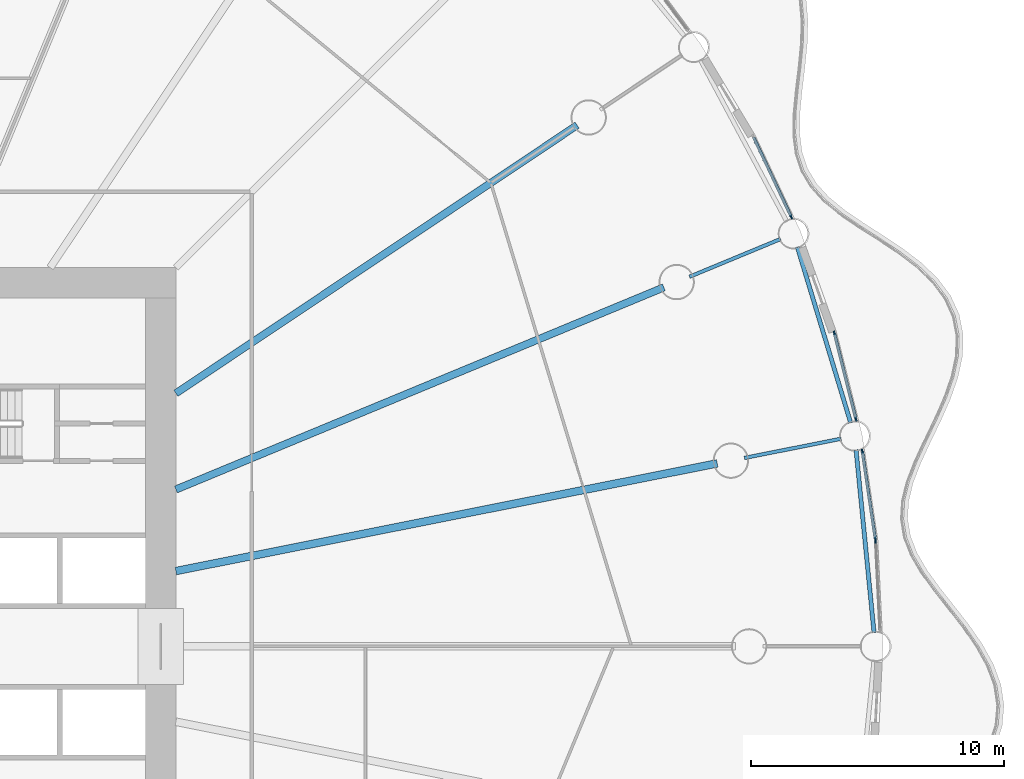
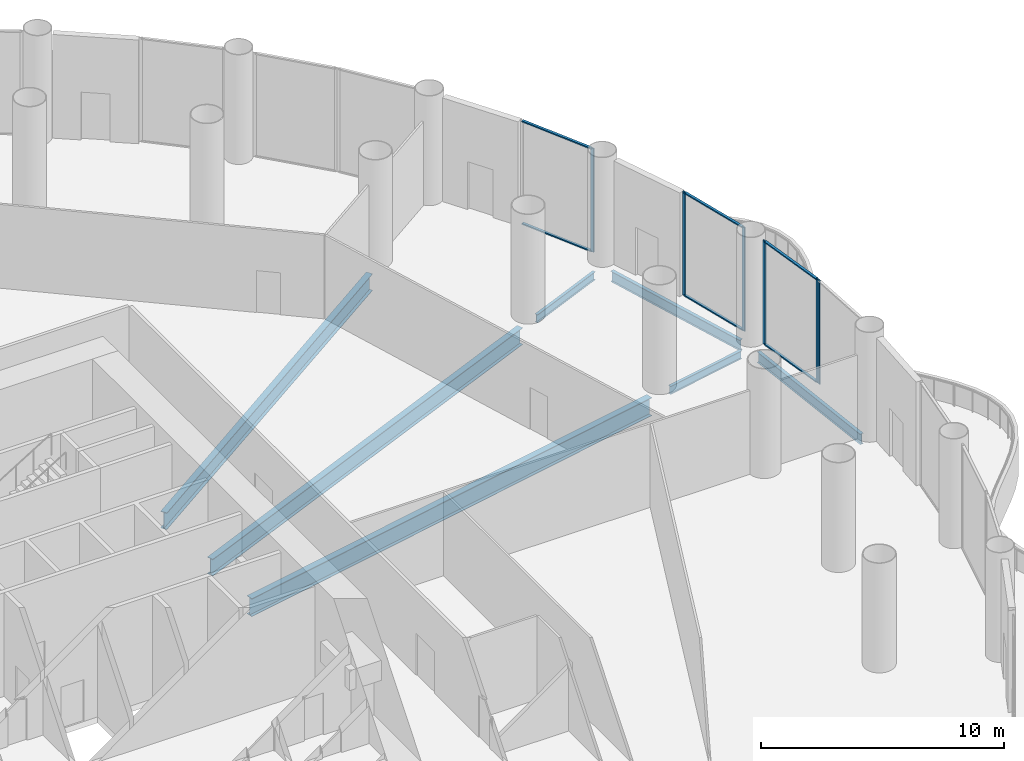
# One storey, part 14 of 37: 12 members, 7 beams, 4 elements without a shape of their own.
"""IFC4 building model written with IfcOpenShell, lengths in metres."""

from ifc_helpers import new_model, si_unit, direction, frame, origin, origin_2d, place, context, subcontext, project, spatial, rectangle, i_section, extrude, material, material_profile, profile_set, type_object, element, aggregate, save


model = new_model("IFC4")

# Units and contexts
model_context = context("Model", 3, precision=1e-05, world=origin(), true_north=direction((0.0, 1.0)))
body_context = subcontext(model_context, "Body", "Model", "MODEL_VIEW")
ifc_project = project(units=[si_unit("LENGTHUNIT", "METRE"), si_unit("AREAUNIT", "SQUARE_METRE"), si_unit("VOLUMEUNIT", "CUBIC_METRE"), si_unit("PLANEANGLEUNIT", "RADIAN"), si_unit("MASSUNIT", "GRAM", prefix="KILO")], contexts=[model_context])

# Site, building, storey
site_placement = place(None, origin())
site = spatial("IfcSite", under=ifc_project, at=site_placement, CompositionType="ELEMENT")
building_placement = place(site_placement, origin())
building = spatial("IfcBuilding", under=site, at=building_placement, Name="Corvane Civic Tower", CompositionType="ELEMENT")
storey_placement = place(building_placement, frame((0.0, 0.0, 11.5)))
storey = spatial("IfcBuildingStorey", under=building, at=storey_placement, Name="L02", CompositionType="ELEMENT", Elevation=11.5)

# Beams
ifc_material_1 = material(Name="Steel ASTM A992 Gr 50", Category="steel")
ifc_material_profile_1 = material_profile(ifc_material_1, i_section(OverallWidth=0.165771484375, OverallDepth=0.5283203125, WebThickness=0.009765625, FlangeThickness=0.013671875, at=origin_2d()), Name="W21X50")
ifc_profile_set_1 = profile_set([ifc_material_profile_1], Name="Steel ASTM A992 Gr 50")
beam_type_1 = type_object("IfcBeamType", Name="EDGE BEAM W21X50", PredefinedType="BEAM", material=ifc_profile_set_1)
for number, where, z_axis, x_axis, name in (
    (1, (39.609375, 15.814208984375, -0.564208984375), (0.290291633127, -0.956938225664, 0.0), (0.956938225664, 0.290291633127, 0.0), "BM-L02-E07"),
    (2, (41.93359375, 7.782958984375, -0.564208984375), (0.097984225478, -0.995187967953, 0.0), (0.995187967953, 0.097984225478, 0.0), "BM-L02-E08"),
):
    element("IfcBeam", number, at=place(storey_placement, frame(where, z_axis=z_axis, x_axis=x_axis)), inside=storey, type_object=beam_type_1, Name=name, PredefinedType="BEAM", context=body_context, shape_type="SweptSolid", body=[
        extrude(i_section(OverallWidth=0.165771484375, OverallDepth=0.5283203125, WebThickness=0.009765625, FlangeThickness=0.013671875, at=origin_2d()), origin(), (0.0, 0.0, 1.0), 7.2705078125),
    ])
ifc_material_2 = material(Name="Steel ASTM A992 Gr 50", Category="steel")
ifc_material_profile_2 = material_profile(ifc_material_2, i_section(OverallWidth=0.140380859375, OverallDepth=0.40380859375, WebThickness=0.007080078125, FlangeThickness=0.01123046875, at=origin_2d()), Name="W16X31")
ifc_profile_set_2 = profile_set([ifc_material_profile_2], Name="Steel ASTM A992 Gr 50")
beam_type_2 = type_object("IfcBeamType", Name="FLOOR GIRDER W16X31", PredefinedType="BEAM", material=ifc_profile_set_2)
for number, where, z_axis, x_axis, name in (
    (3, (35.33837890625, 14.6376953125, -0.501953125), (0.923878730261, 0.382685369162, 0.0), (-0.382685369162, 0.923878730261, 0.0), "BM-L02-G07b"),
    (4, (37.51513671875, 7.462158203125, -0.501953125), (0.980777614264, 0.195128858343, 0.0), (-0.195128858343, 0.980777614264, 0.0), "BM-L02-G08b"),
):
    element("IfcBeam", number, at=place(storey_placement, frame(where, z_axis=z_axis, x_axis=x_axis)), inside=storey, type_object=beam_type_2, Name=name, PredefinedType="BEAM", context=body_context, shape_type="SweptSolid", body=[
        extrude(i_section(OverallWidth=0.140380859375, OverallDepth=0.40380859375, WebThickness=0.007080078125, FlangeThickness=0.01123046875, at=origin_2d()), origin(), (0.0, 0.0, 1.0), 3.89990234375),
    ])
ifc_material_3 = material(Name="Steel ASTM A992 Gr 50", Category="steel")
ifc_material_profile_3 = material_profile(ifc_material_3, i_section(OverallWidth=0.2919921875, OverallDepth=0.845703125, WebThickness=0.015380859375, FlangeThickness=0.0244140625, at=origin_2d()), Name="W33X141")
ifc_profile_set_3 = profile_set([ifc_material_profile_3], Name="Steel ASTM A992 Gr 50")
beam_type_3 = type_object("IfcBeamType", Name="FLOOR GIRDER W33X141", PredefinedType="BEAM", material=ifc_profile_set_3)
beam_1_placement = place(storey_placement, frame((15.0, 10.022705078125, -0.722900390625), z_axis=(0.831471985418, 0.555566681385, 0.0), x_axis=(-0.555566681385, 0.831471985418, 0.0)))
element("IfcBeam", 5, at=beam_1_placement, inside=storey, type_object=beam_type_3, Name="BM-L02-G06", PredefinedType="BEAM", context=body_context, shape_type="SweptSolid", body=[
    extrude(i_section(OverallWidth=0.2919921875, OverallDepth=0.845703125, WebThickness=0.015380859375, FlangeThickness=0.0244140625, at=origin_2d()), origin(), (0.0, 0.0, 1.0), 19.109619140625),
])
beam_2_placement = place(storey_placement, frame((15.0, 6.213134765625, -0.722900390625), z_axis=(0.923875834355, 0.382692360381, 0.0), x_axis=(-0.382692360381, 0.923875834355, 0.0)))
element("IfcBeam", 6, at=beam_2_placement, inside=storey, type_object=beam_type_3, Name="BM-L02-G07", PredefinedType="BEAM", context=body_context, shape_type="SweptSolid", body=[
    extrude(i_section(OverallWidth=0.2919921875, OverallDepth=0.845703125, WebThickness=0.015380859375, FlangeThickness=0.0244140625, at=origin_2d()), origin(), (0.0, 0.0, 1.0), 20.9140625),
])
ifc_material_4 = material(Name="Steel ASTM A992 Gr 50", Category="steel")
ifc_material_profile_4 = material_profile(ifc_material_4, i_section(OverallWidth=0.3046875, OverallDepth=0.911865234375, WebThickness=0.015869140625, FlangeThickness=0.02392578125, at=origin_2d()), Name="W36X150")
ifc_profile_set_4 = profile_set([ifc_material_profile_4], Name="Steel ASTM A992 Gr 50")
beam_type_4 = type_object("IfcBeamType", Name="FLOOR GIRDER W36X150", PredefinedType="BEAM", material=ifc_profile_set_4)
beam_3_placement = place(storey_placement, frame((15.0, 2.983642578125, -0.755859375), z_axis=(0.980785499679, 0.195089219638, 0.0), x_axis=(-0.195089219638, 0.980785499679, 0.0)))
element("IfcBeam", 7, at=beam_3_placement, inside=storey, type_object=beam_type_4, Name="BM-L02-G08", PredefinedType="BEAM", context=body_context, shape_type="SweptSolid", body=[
    extrude(i_section(OverallWidth=0.3046875, OverallDepth=0.911865234375, WebThickness=0.015869140625, FlangeThickness=0.02392578125, at=origin_2d()), origin(), (0.0, 0.0, 1.0), 21.856201171875),
])

# Curtain wall, member
ifc_material_5 = material(Name="Aluminium and glass", Category="aluminium")
curtain_wall_type = type_object("IfcCurtainWallType", Name="PODIUM-CW-P-RUN", PredefinedType="NOTDEFINED", material=ifc_material_5)
curtain_wall_1_placement = place(storey_placement, origin())
curtain_wall_1 = element("IfcCurtainWall", 8, at=curtain_wall_1_placement, inside=storey, type_object=curtain_wall_type, Name="PODI run L02-drum-06B", PredefinedType="NOTDEFINED")
ifc_material_6 = material(Name="Anodised aluminium bronze", Category="aluminium")
ifc_material_profile_5 = material_profile(ifc_material_6, rectangle(XDim=0.06005859375, YDim=0.159912109375, at=origin_2d()), Name="AL 60x160")
ifc_profile_set_5 = profile_set([ifc_material_profile_5], Name="Anodised aluminium bronze")
member_type_1 = type_object("IfcMemberType", Name="PODIUM-CWP-MULLION-60x160", PredefinedType="MULLION", material=ifc_profile_set_5)
member_1_placement = place(storey_placement, frame((39.36767578125, 17.00439453125, 0.0), z_axis=(0.0, 0.0, 1.0), x_axis=(0.903990222454, 0.42755312852, 0.0)))
member_1 = element("IfcMember", 9, at=member_1_placement, type_object=member_type_1, Name="CW-P mullion 2", PredefinedType="MULLION", context=body_context, shape_type="SweptSolid", body=[
    extrude(rectangle(XDim=0.06005859375, YDim=0.159912109375, at=origin_2d()), origin(), (0.0, 0.0, 1.0), 5.199951171875),
])

# Curtain wall, members
curtain_wall_2_placement = place(storey_placement, origin())
curtain_wall_2 = element("IfcCurtainWall", 10, at=curtain_wall_2_placement, inside=storey, type_object=curtain_wall_type, Name="PODI run L02-drum-07B", PredefinedType="NOTDEFINED")
member_2_placement = place(storey_placement, frame((41.0732421875, 12.411865234375, 0.0), z_axis=(0.0, 0.0, 1.0), x_axis=(0.970024070659, 0.243008852393, 0.0)))
member_2 = element("IfcMember", 11, at=member_2_placement, type_object=member_type_1, Name="CW-P mullion 1", PredefinedType="MULLION", context=body_context, shape_type="SweptSolid", body=[
    extrude(rectangle(XDim=0.06005859375, YDim=0.159912109375, at=origin_2d()), origin(), (0.0, 0.0, 1.0), 5.199951171875),
])
member_3_placement = place(storey_placement, frame((41.9287109375, 8.99755859375, 0.0), z_axis=(0.0, 0.0, 1.0), x_axis=(0.970024070659, 0.243008852393, 0.0)))
member_3 = element("IfcMember", 12, at=member_3_placement, type_object=member_type_1, Name="CW-P mullion 2", PredefinedType="MULLION", context=body_context, shape_type="SweptSolid", body=[
    extrude(rectangle(XDim=0.06005859375, YDim=0.159912109375, at=origin_2d()), origin(), (0.0, 0.0, 1.0), 5.199951171875),
])

curtain_wall_3_placement = place(storey_placement, origin())
curtain_wall_3 = element("IfcCurtainWall", 13, at=curtain_wall_3_placement, inside=storey, type_object=curtain_wall_type, Name="PODI run L02-drum-08A", PredefinedType="NOTDEFINED")
member_4_placement = place(storey_placement, frame((42.18017578125, 7.732666015625, 0.0), z_axis=(0.0, 0.0, 1.0), x_axis=(0.989178850608, 0.146714694252, 0.0)))
member_4 = element("IfcMember", 14, at=member_4_placement, type_object=member_type_1, Name="CW-P mullion 1", PredefinedType="MULLION", context=body_context, shape_type="SweptSolid", body=[
    extrude(rectangle(XDim=0.06005859375, YDim=0.159912109375, at=origin_2d()), origin(), (0.0, 0.0, 1.0), 5.199951171875),
])
member_5_placement = place(storey_placement, frame((42.696533203125, 4.2509765625, 0.0), z_axis=(0.0, 0.0, 1.0), x_axis=(0.989178850608, 0.146714694252, 0.0)))
member_5 = element("IfcMember", 15, at=member_5_placement, type_object=member_type_1, Name="CW-P mullion 2", PredefinedType="MULLION", context=body_context, shape_type="SweptSolid", body=[
    extrude(rectangle(XDim=0.06005859375, YDim=0.159912109375, at=origin_2d()), origin(), (0.0, 0.0, 1.0), 5.199951171875),
])

# Curtain wall, member
curtain_wall_4_placement = place(storey_placement, origin())
curtain_wall_4 = element("IfcCurtainWall", 16, at=curtain_wall_4_placement, inside=storey, type_object=curtain_wall_type, Name="PODI run L02-drum-08B", PredefinedType="NOTDEFINED")
member_6_placement = place(storey_placement, frame((42.70556640625, 4.16064453125, 0.0), z_axis=(0.0, 0.0, 1.0), x_axis=(0.998796316803, 0.04905015332, 0.0)))
member_6 = element("IfcMember", 17, at=member_6_placement, type_object=member_type_1, Name="CW-P mullion 1", PredefinedType="MULLION", context=body_context, shape_type="SweptSolid", body=[
    extrude(rectangle(XDim=0.06005859375, YDim=0.159912109375, at=origin_2d()), origin(), (0.0, 0.0, 1.0), 5.199951171875),
])
aggregate(curtain_wall_4, [member_6])

# Member
ifc_material_7 = material(Name="Anodised aluminium bronze", Category="aluminium")
ifc_material_profile_6 = material_profile(ifc_material_7, rectangle(XDim=0.1201171875, YDim=0.06005859375, at=origin_2d()), Name="AL 120x60")
ifc_profile_set_6 = profile_set([ifc_material_profile_6], Name="Anodised aluminium bronze")
member_type_2 = type_object("IfcMemberType", Name="PODIUM-CWP-TRANSOM-60x120", PredefinedType="USERDEFINED", material=ifc_profile_set_6)
member_7_placement = place(storey_placement, frame((37.87548828125, 20.1591796875, 0.030029296875), z_axis=(0.427546343166, -0.903993431638, 0.0), x_axis=(0.903993431638, 0.427546343166, 0.0)))
member_7 = element("IfcMember", 18, at=member_7_placement, type_object=member_type_2, Name="CW-P transom 1.1", ObjectType="TRANSOM", PredefinedType="USERDEFINED", context=body_context, shape_type="SweptSolid", body=[
    extrude(rectangle(XDim=0.1201171875, YDim=0.06005859375, at=origin_2d()), origin(), (0.0, 0.0, 1.0), 3.4599609375),
])

member_8_placement = place(storey_placement, frame((37.87548828125, 20.1591796875, 5.169921875), z_axis=(0.427546343166, -0.903993431638, 0.0), x_axis=(0.903993431638, 0.427546343166, 0.0)))
member_8 = element("IfcMember", 19, at=member_8_placement, type_object=member_type_2, Name="CW-P transom 1.2", ObjectType="TRANSOM", PredefinedType="USERDEFINED", context=body_context, shape_type="SweptSolid", body=[
    extrude(rectangle(XDim=0.1201171875, YDim=0.06005859375, at=origin_2d()), origin(), (0.0, 0.0, 1.0), 3.4599609375),
])

aggregate(curtain_wall_1, [member_1, member_7, member_8])

member_9_placement = place(storey_placement, frame((41.08056640625, 12.3828125, 0.030029296875), z_axis=(0.243017080124, -0.970022009425, 0.0), x_axis=(0.970022009425, 0.243017080124, 0.0)))
member_9 = element("IfcMember", 20, at=member_9_placement, type_object=member_type_2, Name="CW-P transom 1.1", ObjectType="TRANSOM", PredefinedType="USERDEFINED", context=body_context, shape_type="SweptSolid", body=[
    extrude(rectangle(XDim=0.1201171875, YDim=0.06005859375, at=origin_2d()), origin(), (0.0, 0.0, 1.0), 3.4599609375),
])

member_10_placement = place(storey_placement, frame((41.08056640625, 12.3828125, 5.169921875), z_axis=(0.243017080124, -0.970022009425, 0.0), x_axis=(0.970022009425, 0.243017080124, 0.0)))
member_10 = element("IfcMember", 21, at=member_10_placement, type_object=member_type_2, Name="CW-P transom 1.2", ObjectType="TRANSOM", PredefinedType="USERDEFINED", context=body_context, shape_type="SweptSolid", body=[
    extrude(rectangle(XDim=0.1201171875, YDim=0.06005859375, at=origin_2d()), origin(), (0.0, 0.0, 1.0), 3.4599609375),
])

aggregate(curtain_wall_2, [member_2, member_3, member_9, member_10])

member_11_placement = place(storey_placement, frame((42.1845703125, 7.703125, 0.030029296875), z_axis=(0.146704660039, -0.989180338828, 0.0), x_axis=(0.989180338828, 0.146704660039, 0.0)))
member_11 = element("IfcMember", 22, at=member_11_placement, type_object=member_type_2, Name="CW-P transom 1.1", ObjectType="TRANSOM", PredefinedType="USERDEFINED", context=body_context, shape_type="SweptSolid", body=[
    extrude(rectangle(XDim=0.1201171875, YDim=0.06005859375, at=origin_2d()), origin(), (0.0, 0.0, 1.0), 3.459716796875),
])

member_12_placement = place(storey_placement, frame((42.1845703125, 7.703125, 5.169921875), z_axis=(0.146704660039, -0.989180338828, 0.0), x_axis=(0.989180338828, 0.146704660039, 0.0)))
member_12 = element("IfcMember", 23, at=member_12_placement, type_object=member_type_2, Name="CW-P transom 1.2", ObjectType="TRANSOM", PredefinedType="USERDEFINED", context=body_context, shape_type="SweptSolid", body=[
    extrude(rectangle(XDim=0.1201171875, YDim=0.06005859375, at=origin_2d()), origin(), (0.0, 0.0, 1.0), 3.459716796875),
])

aggregate(curtain_wall_3, [member_4, member_5, member_11, member_12])

save(model, "model.ifc")
